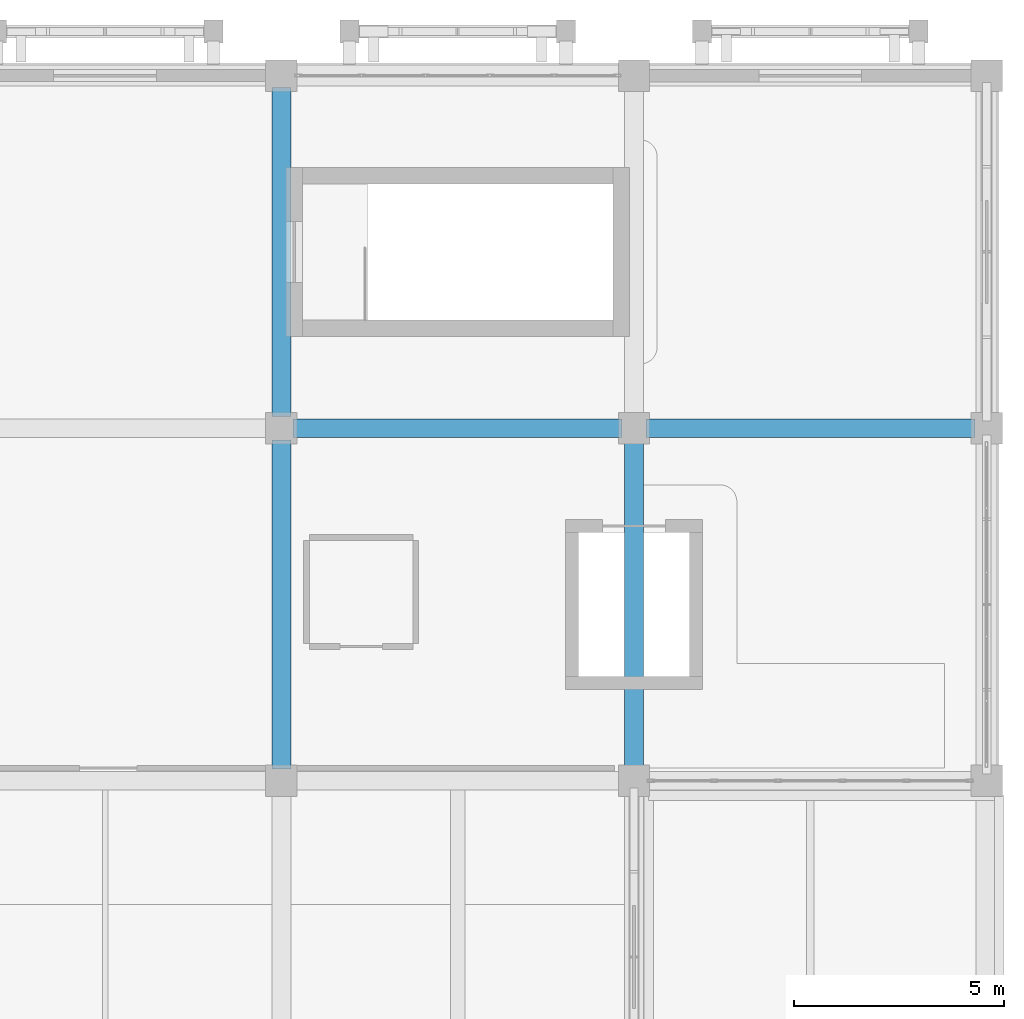
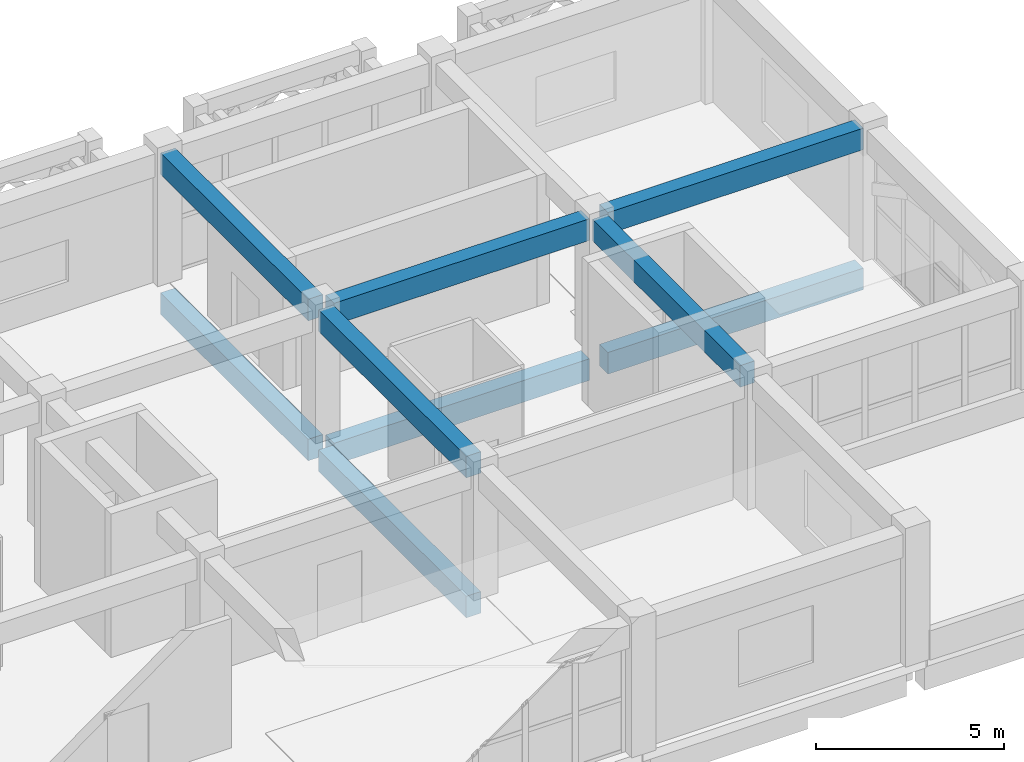
# One storey, part 80 of 114: 9 beams.
"""IFC4 building model written with IfcOpenShell, lengths in metres."""

import ifcopenshell
import ifcopenshell.guid

model = None  # the IFC model being written
_history = None  # IfcOwnerHistory: only IFC2X3 demands one
_inside = {}  # id of a spatial element -> (the spatial element, [elements in it])
_under = {}  # id of a project, library or spatial element -> (it, [spatial elements below it])
_declared = {}  # id of a project -> (the project, [libraries it declares])
_typed = {}  # id of a type object -> (the type object, [elements of that type])
_made_of = {}  # id of a material, layer set ... -> (it, [elements and type objects made of it])


def new_model(schema):
    """Start an empty IFC model of exactly this schema.

    Asked for "IFC4X3", IfcOpenShell would pick the latest addendum, in which some entities
    have other attributes; the version numbers below select the first issue.
    IFC2X3 requires an IfcOwnerHistory on every rooted entity: one is made here for all.
    """
    global model, _history
    if schema == "IFC4X3":
        model = ifcopenshell.file(schema_version=(4, 3, 0, 0))
    else:
        model = ifcopenshell.file(schema=schema)
    _inside.clear()
    _under.clear()
    _declared.clear()
    _typed.clear()
    _made_of.clear()
    _history = None
    if model.schema == "IFC2X3":
        org = make("IfcOrganization", Name="unknown")
        user = make(
            "IfcPersonAndOrganization",
            ThePerson=make("IfcPerson", FamilyName="unknown"),
            TheOrganization=org,
        )
        app = make(
            "IfcApplication",
            ApplicationDeveloper=org,
            Version="unknown",
            ApplicationFullName="unknown",
            ApplicationIdentifier="unknown",
        )
        _history = make(
            "IfcOwnerHistory",
            OwningUser=user,
            OwningApplication=app,
            ChangeAction="ADDED",
            CreationDate=0,
        )
    return model


def make(cls, **values):
    """One entity of the class cls with the attributes given. An attribute that is None is left unset."""
    return model.create_entity(
        cls, **{name: value for name, value in values.items() if value is not None}
    )


def rooted(cls, **values):
    """An entity with a GlobalId (a new one), such as an element, a storey or a relation."""
    return make(cls, GlobalId=ifcopenshell.guid.new(), OwnerHistory=_history, **values)


def si_unit(unit_type, name, prefix=None):
    """IfcSIUnit, for example si_unit("LENGTHUNIT", "METRE", prefix="MILLI")."""
    return make("IfcSIUnit", UnitType=unit_type, Prefix=prefix, Name=name)


def assignment(units):
    """IfcUnitAssignment: the units of a project."""
    return None if units is None else make("IfcUnitAssignment", Units=units)


def point(xyz):
    """IfcCartesianPoint."""
    return None if xyz is None else make("IfcCartesianPoint", Coordinates=xyz)


def direction(xyz):
    """IfcDirection."""
    return None if xyz is None else make("IfcDirection", DirectionRatios=xyz)


def frame(location, z_axis=None, x_axis=None):
    """IfcAxis2Placement3D, a coordinate frame: its origin and axes. An axis left out is left unset."""
    return make(
        "IfcAxis2Placement3D",
        Location=point(location),
        Axis=direction(z_axis),
        RefDirection=direction(x_axis),
    )


def frame_2d(location, x_axis=None):
    """IfcAxis2Placement2D, a coordinate frame in the plane: its origin and x axis."""
    return make(
        "IfcAxis2Placement2D", Location=point(location), RefDirection=direction(x_axis)
    )


def origin():
    """The frame at (0, 0, 0) with its axes left unset."""
    return frame((0.0, 0.0, 0.0))


def origin_2d():
    """The frame at (0, 0) in the plane with its x axis left unset."""
    return frame_2d((0.0, 0.0))


def place(relative_to, where):
    """IfcLocalPlacement: puts the frame where relative to a parent placement (None: the world)."""
    return make(
        "IfcLocalPlacement", PlacementRelTo=relative_to, RelativePlacement=where
    )


def context(
    kind, dimensions, precision=None, world=None, true_north=None, identifier=None
):
    """IfcGeometricRepresentationContext, for example the 3D "Model" context."""
    return make(
        "IfcGeometricRepresentationContext",
        ContextIdentifier=identifier,
        ContextType=kind,
        CoordinateSpaceDimension=dimensions,
        Precision=precision,
        WorldCoordinateSystem=world,
        TrueNorth=true_north,
    )


def subcontext(parent, identifier, kind, view, scale=None):
    """IfcGeometricRepresentationSubContext, for example "Body" below "Model"."""
    return make(
        "IfcGeometricRepresentationSubContext",
        ContextIdentifier=identifier,
        ContextType=kind,
        ParentContext=parent,
        TargetScale=scale,
        TargetView=view,
    )


def project(units=None, contexts=None):
    """IfcProject with its units and contexts."""
    return rooted(
        "IfcProject",
        Name="project",
        RepresentationContexts=contexts,
        UnitsInContext=assignment(units),
    )


def spatial(cls, under=None, at=None, **own):
    """A site, building, storey or space (cls), placed at a placement, below another one or the project."""
    s = rooted(cls, ObjectPlacement=at, **own)
    if under is not None:
        _under.setdefault(under.id(), (under, []))[1].append(s)
    return s


def profile(cls, at=None, kind="AREA", **sizes):
    """A parametric profile (cls). Its sizes go by their IFC names, for example OverallWidth=200.0."""
    return make(cls, ProfileType=kind, Position=at, **sizes)


def rectangle(**sizes):
    """IfcRectangleProfileDef."""
    return profile("IfcRectangleProfileDef", **sizes)


def extrude(swept, where, along, depth):
    """IfcExtrudedAreaSolid: the profile swept, set in the frame where, extruded along a direction by depth."""
    return make(
        "IfcExtrudedAreaSolid",
        SweptArea=swept,
        Position=where,
        ExtrudedDirection=direction(along),
        Depth=depth,
    )


def shape(context_of_items, identifier, shape_type, items):
    """IfcShapeRepresentation: the items that make up one representation, for example the "Body"."""
    return make(
        "IfcShapeRepresentation",
        ContextOfItems=context_of_items,
        RepresentationIdentifier=identifier,
        RepresentationType=shape_type,
        Items=items,
    )


def material(Name=None, Category=None):
    """IfcMaterial."""
    return make("IfcMaterial", Name=Name, Category=Category)


def material_profile(
    of_material, cross_section, Name=None, Category=None, Priority=None
):
    """IfcMaterialProfile: a cross section and its material."""
    return make(
        "IfcMaterialProfile",
        Name=Name,
        Material=of_material,
        Profile=cross_section,
        Priority=Priority,
        Category=Category,
    )


def profile_set(profiles, Name=None, composite=None):
    """IfcMaterialProfileSet."""
    return make(
        "IfcMaterialProfileSet",
        Name=Name,
        MaterialProfiles=profiles,
        CompositeProfile=composite,
    )


def made_of(thing, what):
    """Note that an element or type object is made of a material, layer set ...; save() writes the relation."""
    if what is not None:
        _made_of.setdefault(what.id(), (what, []))[1].append(thing)
    return thing


def type_object(cls, material=None, **own):
    """A type object (cls), such as IfcWallType, which elements share."""
    return made_of(rooted(cls, **own), material)


def element(
    cls,
    number,
    at=None,
    inside=None,
    cuts=None,
    type_object=None,
    material=None,
    context=None,
    identifier="Body",
    shape_type=None,
    held_by="IfcProductDefinitionShape",
    body=None,
    shapes=None,
    **own,
):
    """One element of the class cls, such as IfcWall. Its Tag is "e" and its number.

    at: its placement. inside: the storey or other place that contains it. cuts: it is an
    opening in that element (IfcRelVoidsElement). A single representation is given by context,
    identifier, shape_type and body (its items); several are given by shapes. held_by: the class
    of the entity that holds the representations. save() writes the other relations.
    """
    e = rooted(cls, Tag="e%d" % number, ObjectPlacement=at, **own)
    if body is not None:
        shapes = [shape(context, identifier, shape_type, body)]
    if shapes is not None:
        e.Representation = make(held_by, Representations=shapes)
    if inside is not None:
        _inside.setdefault(inside.id(), (inside, []))[1].append(e)
    if cuts is not None:
        rooted(
            "IfcRelVoidsElement", RelatingBuildingElement=cuts, RelatedOpeningElement=e
        )
    if type_object is not None:
        _typed.setdefault(type_object.id(), (type_object, []))[1].append(e)
    return made_of(e, material)


def aggregate(whole, parts):
    """IfcRelAggregates: a whole, such as a stair, and the parts it consists of."""
    return rooted("IfcRelAggregates", RelatingObject=whole, RelatedObjects=parts)


def save(model, path):
    """Write the relations noted so far, then the file.

    IfcRelAggregates (storeys below a building ...), IfcRelContainedInSpatialStructure (elements
    in a storey), IfcRelDefinesByType, IfcRelAssociatesMaterial and IfcRelDeclares: one each for
    every whole, place, type object, material and project.
    """
    for whole, parts in _under.values():
        aggregate(whole, parts)
    for where, things in _inside.values():
        rooted(
            "IfcRelContainedInSpatialStructure",
            RelatedElements=things,
            RelatingStructure=where,
        )
    for kind, things in _typed.values():
        rooted("IfcRelDefinesByType", RelatedObjects=things, RelatingType=kind)
    for what, things in _made_of.values():
        rooted("IfcRelAssociatesMaterial", RelatedObjects=things, RelatingMaterial=what)
    for by, libraries in _declared.values():
        rooted("IfcRelDeclares", RelatingContext=by, RelatedDefinitions=libraries)
    model.write(path)


model = new_model("IFC4")

# Units and contexts
model_context = context("Model", 3, precision=1e-05, world=origin(), true_north=direction((0.0, 1.0)))
body_context = subcontext(model_context, "Body", "Model", "MODEL_VIEW")
ifc_project = project(units=[si_unit("LENGTHUNIT", "METRE"), si_unit("AREAUNIT", "SQUARE_METRE"), si_unit("VOLUMEUNIT", "CUBIC_METRE"), si_unit("PLANEANGLEUNIT", "RADIAN"), si_unit("MASSUNIT", "GRAM", prefix="KILO")], contexts=[model_context])

# Site, building, storey
site_placement = place(None, origin())
site = spatial("IfcSite", under=ifc_project, at=site_placement, CompositionType="ELEMENT")
building_placement = place(site_placement, origin())
building = spatial("IfcBuilding", under=site, at=building_placement, Name="Xazarin Passage Department Store", CompositionType="ELEMENT")
storey_placement = place(building_placement, frame((0.0, 0.0, 14.39990234375)))
storey = spatial("IfcBuildingStorey", under=building, at=storey_placement, Name="L03", CompositionType="ELEMENT", Elevation=14.39990234375)

# Beams
ifc_material = material(Name="Concrete C35/45", Category="concrete")
ifc_material_profile = material_profile(ifc_material, rectangle(XDim=0.449951171875, YDim=0.699951171875, at=origin_2d()), Name="RC 450x700")
ifc_profile_set = profile_set([ifc_material_profile], Name="Concrete C35/45")
beam_type = type_object("IfcBeamType", Name="STR-BM-G450x700", PredefinedType="BEAM", material=ifc_profile_set)
for number, where, z_axis, x_axis, name in (
    (1, (127.8798828125, 101.60009765625, -0.64990234375), (1.0, 0.0, 0.0), (0.0, 1.0, 0.0), "L03 Grid Beam P/18-19"),
    (2, (136.280029296875, 101.60009765625, -0.64990234375), (1.0, 0.0, 0.0), (0.0, 1.0, 0.0), "L03 Grid Beam P/19-20"),
    (3, (127.60009765625, 93.47998046875, -0.64990234375), (0.0, 1.0, 0.0), (-1.0, 0.0, 0.0), "L03 Grid Beam 18/N-P"),
    (4, (127.60009765625, 101.8798828125, -0.64990234375), (0.0, 1.0, 0.0), (-1.0, 0.0, 0.0), "L03 Grid Beam 18/P-Q"),
    (5, (127.8798828125, 101.60009765625, 3.89013671875), (1.0, 0.0, 0.0), (0.0, 1.0, 0.0), "L03 Grid Beam P/18-19"),
    (6, (136.280029296875, 101.60009765625, 3.89013671875), (1.0, 0.0, 0.0), (0.0, 1.0, 0.0), "L03 Grid Beam P/19-20"),
    (7, (127.60009765625, 93.47998046875, 3.89013671875), (0.0, 1.0, 0.0), (-1.0, 0.0, 0.0), "L03 Grid Beam 18/N-P"),
    (8, (127.60009765625, 101.8798828125, 3.89013671875), (0.0, 1.0, 0.0), (-1.0, 0.0, 0.0), "L03 Grid Beam 18/P-Q"),
    (9, (136.0, 93.47998046875, 3.89013671875), (0.0, 1.0, 0.0), (-1.0, 0.0, 0.0), "L03 Grid Beam 19/N-P"),
):
    element("IfcBeam", number, at=place(storey_placement, frame(where, z_axis=z_axis, x_axis=x_axis)), inside=storey, type_object=beam_type, Name=name, PredefinedType="BEAM", context=body_context, shape_type="SweptSolid", body=[
        extrude(rectangle(XDim=0.449951171875, YDim=0.699951171875, at=origin_2d()), origin(), (0.0, 0.0, 1.0), 7.840087890625),
    ])

save(model, "model.ifc")
